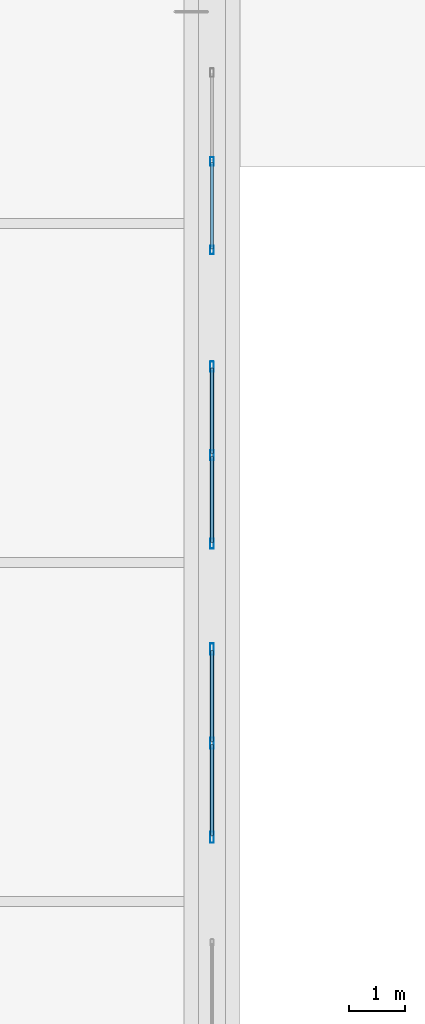
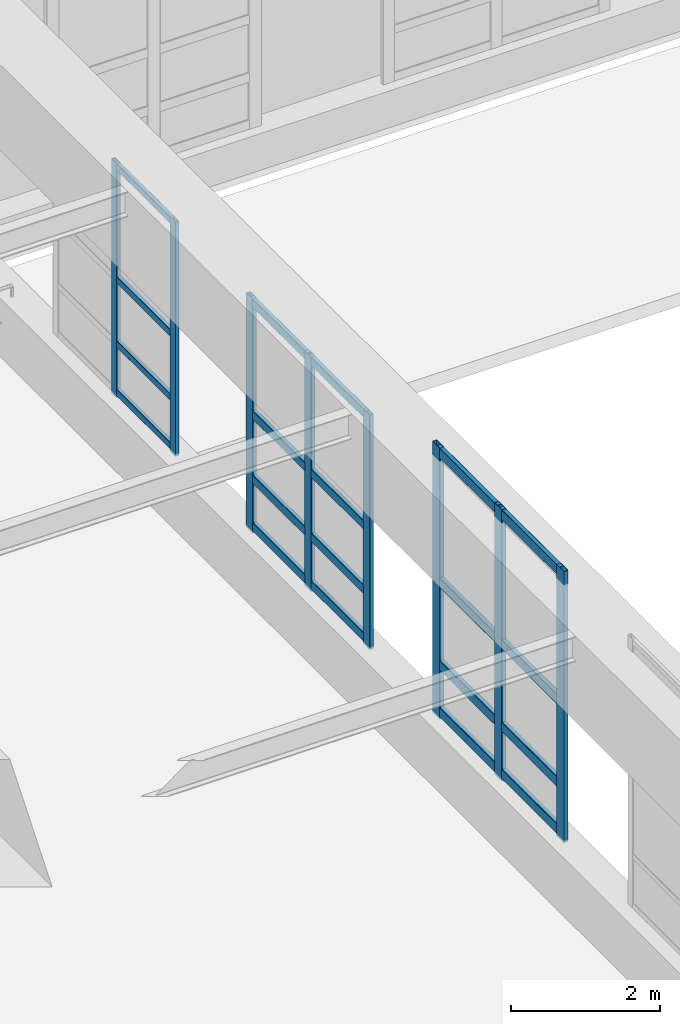
# One storey, part 42 of 197: 28 members, 3 elements without a shape of their own.
"""IFC4 building model written with IfcOpenShell, lengths in metres."""

from ifc_helpers import new_model, si_unit, derived_unit, direction, frame, origin, origin_2d, place, context, subcontext, project, spatial, hollow_rectangle, extrude, material, layer, layer_set, material_profile, profile_set, type_object, element, aggregate, save


model = new_model("IFC4")

# Units and contexts
model_context = context("Model", 3, precision=1e-05, world=origin(), true_north=direction((0.0, 1.0)))
body_context = subcontext(model_context, "Body", "Model", "MODEL_VIEW")
ifc_project = project(units=[si_unit("LENGTHUNIT", "METRE"), si_unit("AREAUNIT", "SQUARE_METRE"), si_unit("VOLUMEUNIT", "CUBIC_METRE"), si_unit("PLANEANGLEUNIT", "RADIAN"), si_unit("MASSUNIT", "GRAM", prefix="KILO"), derived_unit("THERMALTRANSMITTANCEUNIT", [(si_unit("POWERUNIT", "WATT"), 1), (si_unit("LENGTHUNIT", "METRE"), -2), (si_unit("THERMODYNAMICTEMPERATUREUNIT", "KELVIN"), -1)])], contexts=[model_context])

# Site, building, storey
site_placement = place(None, origin())
site = spatial("IfcSite", under=ifc_project, at=site_placement, CompositionType="ELEMENT")
building_placement = place(site_placement, origin())
building = spatial("IfcBuilding", under=site, at=building_placement, Name="Almenara Railside Exhibition Hall", CompositionType="ELEMENT")
storey_placement = place(building_placement, frame((0.0, 0.0, 5.39990234375)))
storey = spatial("IfcBuildingStorey", under=building, at=storey_placement, Name="L01", CompositionType="ELEMENT", Elevation=5.39990234375)

# Curtain wall, members
ifc_material_1 = material(Name="Bronze-anodised aluminium and low-E double glazing", Category="aluminium")
ifc_layer_1 = layer(ifc_material_1, 0.179931640625, Name="Bronze-anodised aluminium and low-E double glazing")
ifc_layer_set_1 = layer_set([ifc_layer_1], Name="Bronze-anodised aluminium and low-E double glazing")
curtain_wall_type_1 = type_object("IfcCurtainWallType", Name="Scroll Gable Side Curtain Wall 3200x3800", PredefinedType="NOTDEFINED", material=ifc_layer_set_1)
curtain_wall_1_placement = place(storey_placement, origin())
curtain_wall_1 = element("IfcCurtainWall", 1, at=curtain_wall_1_placement, inside=storey, type_object=curtain_wall_type_1, Name="Curtain wall CW-G4-118", PredefinedType="NOTDEFINED")
ifc_material_2 = material(Name="Bronze-anodised aluminium", Category="aluminium")
ifc_material_profile_1 = material_profile(ifc_material_2, hollow_rectangle(XDim=0.06005859375, YDim=0.14990234375, WallThickness=0.00341796875, InnerFilletRadius=0.00341796875, OuterFilletRadius=0.007080078125, at=origin_2d()), Name="ALU-MUL 60x150x3.5")
ifc_profile_set_1 = profile_set([ifc_material_profile_1], Name="Bronze-anodised aluminium")
member_type_1 = type_object("IfcMemberType", Name="Curtain Wall Mullion 60x150x3.5", PredefinedType="MULLION", material=ifc_profile_set_1)
member_1_placement = place(storey_placement, frame((66.0, 29.530029296875, 0.9150390625), z_axis=(0.0, 0.0, 1.0), x_axis=(-1.0, 0.0, 0.0)))
member_1 = element("IfcMember", 2, at=member_1_placement, type_object=member_type_1, Name="CW-G4-118 mullion 1", PredefinedType="MULLION", context=body_context, shape_type="SweptSolid", body=[
    extrude(hollow_rectangle(XDim=0.06005859375, YDim=0.14990234375, WallThickness=0.00341796875, InnerFilletRadius=0.00341796875, OuterFilletRadius=0.007080078125, at=origin_2d()), origin(), (0.0, 0.0, 1.0), 3.8349609375),
])
member_2_placement = place(storey_placement, frame((66.0, 31.10009765625, 0.9150390625), z_axis=(0.0, 0.0, 1.0), x_axis=(-1.0, 0.0, 0.0)))
member_2 = element("IfcMember", 3, at=member_2_placement, type_object=member_type_1, Name="CW-G4-118 mullion 2", PredefinedType="MULLION", context=body_context, shape_type="SweptSolid", body=[
    extrude(hollow_rectangle(XDim=0.06005859375, YDim=0.14990234375, WallThickness=0.00341796875, InnerFilletRadius=0.00341796875, OuterFilletRadius=0.007080078125, at=origin_2d()), origin(), (0.0, 0.0, 1.0), 3.8349609375),
])

curtain_wall_2_placement = place(storey_placement, origin())
curtain_wall_2 = element("IfcCurtainWall", 4, at=curtain_wall_2_placement, inside=storey, type_object=curtain_wall_type_1, Name="Curtain wall CW-G4-117", PredefinedType="NOTDEFINED")
ifc_material_profile_2 = material_profile(ifc_material_2, hollow_rectangle(XDim=0.06494140625, YDim=0.179931640625, WallThickness=0.00390625, InnerFilletRadius=0.00390625, OuterFilletRadius=0.008056640625, at=origin_2d()), Name="ALU-MUL 65x180x4")
ifc_profile_set_2 = profile_set([ifc_material_profile_2], Name="Bronze-anodised aluminium")
member_type_2 = type_object("IfcMemberType", Name="Curtain Wall Mullion 65x180x4", PredefinedType="MULLION", material=ifc_profile_set_2)
member_3_placement = place(storey_placement, frame((66.0, 24.33251953125, 0.9150390625), z_axis=(0.0, 0.0, 1.0), x_axis=(-1.0, 0.0, 0.0)))
member_3 = element("IfcMember", 5, at=member_3_placement, type_object=member_type_2, Name="CW-G4-117 mullion 1", PredefinedType="MULLION", context=body_context, shape_type="SweptSolid", body=[
    extrude(hollow_rectangle(XDim=0.06494140625, YDim=0.179931640625, WallThickness=0.00390625, InnerFilletRadius=0.00390625, OuterFilletRadius=0.008056640625, at=origin_2d()), origin(), (0.0, 0.0, 1.0), 3.8349609375),
])
member_4_placement = place(storey_placement, frame((66.0, 25.89990234375, 0.9150390625), z_axis=(0.0, 0.0, 1.0), x_axis=(-1.0, 0.0, 0.0)))
member_4 = element("IfcMember", 6, at=member_4_placement, type_object=member_type_2, Name="CW-G4-117 mullion 2", PredefinedType="MULLION", context=body_context, shape_type="SweptSolid", body=[
    extrude(hollow_rectangle(XDim=0.06494140625, YDim=0.179931640625, WallThickness=0.00390625, InnerFilletRadius=0.00390625, OuterFilletRadius=0.008056640625, at=origin_2d()), origin(), (0.0, 0.0, 1.0), 3.8349609375),
])
member_5_placement = place(storey_placement, frame((66.0, 27.467529296875, 0.9150390625), z_axis=(0.0, 0.0, 1.0), x_axis=(-1.0, 0.0, 0.0)))
member_5 = element("IfcMember", 7, at=member_5_placement, type_object=member_type_2, Name="CW-G4-117 mullion 3", PredefinedType="MULLION", context=body_context, shape_type="SweptSolid", body=[
    extrude(hollow_rectangle(XDim=0.06494140625, YDim=0.179931640625, WallThickness=0.00390625, InnerFilletRadius=0.00390625, OuterFilletRadius=0.008056640625, at=origin_2d()), origin(), (0.0, 0.0, 1.0), 3.8349609375),
])

ifc_layer_2 = layer(ifc_material_1, 0.179931640625, Name="Bronze-anodised aluminium and low-E double glazing")
ifc_layer_set_2 = layer_set([ifc_layer_2], Name="Bronze-anodised aluminium and low-E double glazing")
curtain_wall_type_2 = type_object("IfcCurtainWallType", Name="Scroll Gable Mid Curtain Wall 3400x4400", PredefinedType="NOTDEFINED", material=ifc_layer_set_2)
curtain_wall_3_placement = place(storey_placement, origin())
curtain_wall_3 = element("IfcCurtainWall", 8, at=curtain_wall_3_placement, inside=storey, type_object=curtain_wall_type_2, Name="Curtain wall CW-G3-116", PredefinedType="NOTDEFINED")
ifc_material_profile_3 = material_profile(ifc_material_2, hollow_rectangle(XDim=0.070068359375, YDim=0.199951171875, WallThickness=0.00439453125, InnerFilletRadius=0.00439453125, OuterFilletRadius=0.009033203125, at=origin_2d()), Name="ALU-MUL 70x200x4.5")
ifc_profile_set_3 = profile_set([ifc_material_profile_3], Name="Bronze-anodised aluminium")
member_type_3 = type_object("IfcMemberType", Name="Curtain Wall Mullion 70x200x4.5", PredefinedType="MULLION", material=ifc_profile_set_3)
member_6_placement = place(storey_placement, frame((66.0, 19.135009765625, 0.9150390625), z_axis=(0.0, 0.0, 1.0), x_axis=(-1.0, 0.0, 0.0)))
member_6 = element("IfcMember", 9, at=member_6_placement, type_object=member_type_3, Name="CW-G3-116 mullion 1", PredefinedType="MULLION", context=body_context, shape_type="SweptSolid", body=[
    extrude(hollow_rectangle(XDim=0.070068359375, YDim=0.199951171875, WallThickness=0.00439453125, InnerFilletRadius=0.00439453125, OuterFilletRadius=0.009033203125, at=origin_2d()), origin(), (0.0, 0.0, 1.0), 4.43505859375),
])
member_7_placement = place(storey_placement, frame((66.0, 20.800048828125, 0.9150390625), z_axis=(0.0, 0.0, 1.0), x_axis=(-1.0, 0.0, 0.0)))
member_7 = element("IfcMember", 10, at=member_7_placement, type_object=member_type_3, Name="CW-G3-116 mullion 2", PredefinedType="MULLION", context=body_context, shape_type="SweptSolid", body=[
    extrude(hollow_rectangle(XDim=0.070068359375, YDim=0.199951171875, WallThickness=0.00439453125, InnerFilletRadius=0.00439453125, OuterFilletRadius=0.009033203125, at=origin_2d()), origin(), (0.0, 0.0, 1.0), 4.43505859375),
])
member_8_placement = place(storey_placement, frame((66.0, 22.465087890625, 0.9150390625), z_axis=(0.0, 0.0, 1.0), x_axis=(-1.0, 0.0, 0.0)))
member_8 = element("IfcMember", 11, at=member_8_placement, type_object=member_type_3, Name="CW-G3-116 mullion 3", PredefinedType="MULLION", context=body_context, shape_type="SweptSolid", body=[
    extrude(hollow_rectangle(XDim=0.070068359375, YDim=0.199951171875, WallThickness=0.00439453125, InnerFilletRadius=0.00439453125, OuterFilletRadius=0.009033203125, at=origin_2d()), origin(), (0.0, 0.0, 1.0), 4.43505859375),
])

# Member
ifc_material_profile_4 = material_profile(ifc_material_2, hollow_rectangle(XDim=0.06005859375, YDim=0.110107421875, WallThickness=0.0029296875, InnerFilletRadius=0.0029296875, OuterFilletRadius=0.006103515625, at=origin_2d()), Name="ALU-TRN 60x110x3")
ifc_profile_set_4 = profile_set([ifc_material_profile_4], Name="Bronze-anodised aluminium")
member_type_4 = type_object("IfcMemberType", Name="Curtain Wall Transom 60x110x3", PredefinedType="USERDEFINED", material=ifc_profile_set_4)
member_9_placement = place(storey_placement, frame((66.0, 29.552001953125, 1.005126953125), z_axis=(0.0, 1.0, 0.0), x_axis=(-1.0, 0.0, 0.0)))
member_9 = element("IfcMember", 12, at=member_9_placement, type_object=member_type_4, Name="CW-G4-118 transom 1.1", ObjectType="TRANSOM", PredefinedType="USERDEFINED", context=body_context, shape_type="SweptSolid", body=[
    extrude(hollow_rectangle(XDim=0.06005859375, YDim=0.110107421875, WallThickness=0.0029296875, InnerFilletRadius=0.0029296875, OuterFilletRadius=0.006103515625, at=origin_2d()), origin(), (0.0, 0.0, 1.0), 1.52587890625),
])

member_10_placement = place(storey_placement, frame((66.0, 29.552001953125, 1.800048828125), z_axis=(0.0, 1.0, 0.0), x_axis=(-1.0, 0.0, 0.0)))
member_10 = element("IfcMember", 13, at=member_10_placement, type_object=member_type_4, Name="CW-G4-118 transom 1.2", ObjectType="TRANSOM", PredefinedType="USERDEFINED", context=body_context, shape_type="SweptSolid", body=[
    extrude(hollow_rectangle(XDim=0.06005859375, YDim=0.110107421875, WallThickness=0.0029296875, InnerFilletRadius=0.0029296875, OuterFilletRadius=0.006103515625, at=origin_2d()), origin(), (0.0, 0.0, 1.0), 1.52587890625),
])

member_11_placement = place(storey_placement, frame((66.0, 29.552001953125, 2.85009765625), z_axis=(0.0, 1.0, 0.0), x_axis=(-1.0, 0.0, 0.0)))
member_11 = element("IfcMember", 14, at=member_11_placement, type_object=member_type_4, Name="CW-G4-118 transom 1.3", ObjectType="TRANSOM", PredefinedType="USERDEFINED", context=body_context, shape_type="SweptSolid", body=[
    extrude(hollow_rectangle(XDim=0.06005859375, YDim=0.110107421875, WallThickness=0.0029296875, InnerFilletRadius=0.0029296875, OuterFilletRadius=0.006103515625, at=origin_2d()), origin(), (0.0, 0.0, 1.0), 1.52587890625),
])

member_12_placement = place(storey_placement, frame((66.0, 29.552001953125, 4.695068359375), z_axis=(0.0, 1.0, 0.0), x_axis=(-1.0, 0.0, 0.0)))
member_12 = element("IfcMember", 15, at=member_12_placement, type_object=member_type_4, Name="CW-G4-118 transom 1.4", ObjectType="TRANSOM", PredefinedType="USERDEFINED", context=body_context, shape_type="SweptSolid", body=[
    extrude(hollow_rectangle(XDim=0.06005859375, YDim=0.110107421875, WallThickness=0.0029296875, InnerFilletRadius=0.0029296875, OuterFilletRadius=0.006103515625, at=origin_2d()), origin(), (0.0, 0.0, 1.0), 1.52587890625),
])

aggregate(curtain_wall_1, [member_1, member_2, member_9, member_10, member_11, member_12])

ifc_material_profile_5 = material_profile(ifc_material_2, hollow_rectangle(XDim=0.06494140625, YDim=0.139892578125, WallThickness=0.00341796875, InnerFilletRadius=0.00341796875, OuterFilletRadius=0.007080078125, at=origin_2d()), Name="ALU-TRN 65x140x3.5")
ifc_profile_set_5 = profile_set([ifc_material_profile_5], Name="Bronze-anodised aluminium")
member_type_5 = type_object("IfcMemberType", Name="Curtain Wall Transom 65x140x3.5", PredefinedType="USERDEFINED", material=ifc_profile_set_5)
member_13_placement = place(storey_placement, frame((66.0, 24.35693359375, 1.02001953125), z_axis=(0.0, 1.0, 0.0), x_axis=(-1.0, 0.0, 0.0)))
member_13 = element("IfcMember", 16, at=member_13_placement, type_object=member_type_5, Name="CW-G4-117 transom 1.1", ObjectType="TRANSOM", PredefinedType="USERDEFINED", context=body_context, shape_type="SweptSolid", body=[
    extrude(hollow_rectangle(XDim=0.06494140625, YDim=0.139892578125, WallThickness=0.00341796875, InnerFilletRadius=0.00341796875, OuterFilletRadius=0.007080078125, at=origin_2d()), origin(), (0.0, 0.0, 1.0), 1.5185546875),
])

member_14_placement = place(storey_placement, frame((66.0, 24.35693359375, 1.800048828125), z_axis=(0.0, 1.0, 0.0), x_axis=(-1.0, 0.0, 0.0)))
member_14 = element("IfcMember", 17, at=member_14_placement, type_object=member_type_5, Name="CW-G4-117 transom 1.2", ObjectType="TRANSOM", PredefinedType="USERDEFINED", context=body_context, shape_type="SweptSolid", body=[
    extrude(hollow_rectangle(XDim=0.06494140625, YDim=0.139892578125, WallThickness=0.00341796875, InnerFilletRadius=0.00341796875, OuterFilletRadius=0.007080078125, at=origin_2d()), origin(), (0.0, 0.0, 1.0), 1.5185546875),
])

member_15_placement = place(storey_placement, frame((66.0, 24.35693359375, 2.85009765625), z_axis=(0.0, 1.0, 0.0), x_axis=(-1.0, 0.0, 0.0)))
member_15 = element("IfcMember", 18, at=member_15_placement, type_object=member_type_5, Name="CW-G4-117 transom 1.3", ObjectType="TRANSOM", PredefinedType="USERDEFINED", context=body_context, shape_type="SweptSolid", body=[
    extrude(hollow_rectangle(XDim=0.06494140625, YDim=0.139892578125, WallThickness=0.00341796875, InnerFilletRadius=0.00341796875, OuterFilletRadius=0.007080078125, at=origin_2d()), origin(), (0.0, 0.0, 1.0), 1.5185546875),
])

member_16_placement = place(storey_placement, frame((66.0, 24.35693359375, 4.68017578125), z_axis=(0.0, 1.0, 0.0), x_axis=(-1.0, 0.0, 0.0)))
member_16 = element("IfcMember", 19, at=member_16_placement, type_object=member_type_5, Name="CW-G4-117 transom 1.4", ObjectType="TRANSOM", PredefinedType="USERDEFINED", context=body_context, shape_type="SweptSolid", body=[
    extrude(hollow_rectangle(XDim=0.06494140625, YDim=0.139892578125, WallThickness=0.00341796875, InnerFilletRadius=0.00341796875, OuterFilletRadius=0.007080078125, at=origin_2d()), origin(), (0.0, 0.0, 1.0), 1.5185546875),
])

member_17_placement = place(storey_placement, frame((66.0, 25.924560546875, 1.02001953125), z_axis=(0.0, 1.0, 0.0), x_axis=(-1.0, 0.0, 0.0)))
member_17 = element("IfcMember", 20, at=member_17_placement, type_object=member_type_5, Name="CW-G4-117 transom 2.1", ObjectType="TRANSOM", PredefinedType="USERDEFINED", context=body_context, shape_type="SweptSolid", body=[
    extrude(hollow_rectangle(XDim=0.06494140625, YDim=0.139892578125, WallThickness=0.00341796875, InnerFilletRadius=0.00341796875, OuterFilletRadius=0.007080078125, at=origin_2d()), origin(), (0.0, 0.0, 1.0), 1.5185546875),
])

member_18_placement = place(storey_placement, frame((66.0, 25.924560546875, 1.800048828125), z_axis=(0.0, 1.0, 0.0), x_axis=(-1.0, 0.0, 0.0)))
member_18 = element("IfcMember", 21, at=member_18_placement, type_object=member_type_5, Name="CW-G4-117 transom 2.2", ObjectType="TRANSOM", PredefinedType="USERDEFINED", context=body_context, shape_type="SweptSolid", body=[
    extrude(hollow_rectangle(XDim=0.06494140625, YDim=0.139892578125, WallThickness=0.00341796875, InnerFilletRadius=0.00341796875, OuterFilletRadius=0.007080078125, at=origin_2d()), origin(), (0.0, 0.0, 1.0), 1.5185546875),
])

member_19_placement = place(storey_placement, frame((66.0, 25.924560546875, 2.85009765625), z_axis=(0.0, 1.0, 0.0), x_axis=(-1.0, 0.0, 0.0)))
member_19 = element("IfcMember", 22, at=member_19_placement, type_object=member_type_5, Name="CW-G4-117 transom 2.3", ObjectType="TRANSOM", PredefinedType="USERDEFINED", context=body_context, shape_type="SweptSolid", body=[
    extrude(hollow_rectangle(XDim=0.06494140625, YDim=0.139892578125, WallThickness=0.00341796875, InnerFilletRadius=0.00341796875, OuterFilletRadius=0.007080078125, at=origin_2d()), origin(), (0.0, 0.0, 1.0), 1.5185546875),
])

member_20_placement = place(storey_placement, frame((66.0, 25.924560546875, 4.68017578125), z_axis=(0.0, 1.0, 0.0), x_axis=(-1.0, 0.0, 0.0)))
member_20 = element("IfcMember", 23, at=member_20_placement, type_object=member_type_5, Name="CW-G4-117 transom 2.4", ObjectType="TRANSOM", PredefinedType="USERDEFINED", context=body_context, shape_type="SweptSolid", body=[
    extrude(hollow_rectangle(XDim=0.06494140625, YDim=0.139892578125, WallThickness=0.00341796875, InnerFilletRadius=0.00341796875, OuterFilletRadius=0.007080078125, at=origin_2d()), origin(), (0.0, 0.0, 1.0), 1.5185546875),
])

aggregate(curtain_wall_2, [member_3, member_4, member_5, member_13, member_14, member_15, member_16, member_17, member_18, member_19, member_20])

ifc_material_profile_6 = material_profile(ifc_material_2, hollow_rectangle(XDim=0.070068359375, YDim=0.159912109375, WallThickness=0.00390625, InnerFilletRadius=0.00390625, OuterFilletRadius=0.008056640625, at=origin_2d()), Name="ALU-TRN 70x160x4")
ifc_profile_set_6 = profile_set([ifc_material_profile_6], Name="Bronze-anodised aluminium")
member_type_6 = type_object("IfcMemberType", Name="Curtain Wall Transom 70x160x4", PredefinedType="USERDEFINED", material=ifc_profile_set_6)
member_21_placement = place(storey_placement, frame((66.0, 19.162109375, 1.030029296875), z_axis=(0.0, 1.0, 0.0), x_axis=(-1.0, 0.0, 0.0)))
member_21 = element("IfcMember", 24, at=member_21_placement, type_object=member_type_6, Name="CW-G3-116 transom 1.1", ObjectType="TRANSOM", PredefinedType="USERDEFINED", context=body_context, shape_type="SweptSolid", body=[
    extrude(hollow_rectangle(XDim=0.070068359375, YDim=0.159912109375, WallThickness=0.00390625, InnerFilletRadius=0.00390625, OuterFilletRadius=0.008056640625, at=origin_2d()), origin(), (0.0, 0.0, 1.0), 1.61083984375),
])

member_22_placement = place(storey_placement, frame((66.0, 19.162109375, 1.800048828125), z_axis=(0.0, 1.0, 0.0), x_axis=(-1.0, 0.0, 0.0)))
member_22 = element("IfcMember", 25, at=member_22_placement, type_object=member_type_6, Name="CW-G3-116 transom 1.2", ObjectType="TRANSOM", PredefinedType="USERDEFINED", context=body_context, shape_type="SweptSolid", body=[
    extrude(hollow_rectangle(XDim=0.070068359375, YDim=0.159912109375, WallThickness=0.00390625, InnerFilletRadius=0.00390625, OuterFilletRadius=0.008056640625, at=origin_2d()), origin(), (0.0, 0.0, 1.0), 1.61083984375),
])

member_23_placement = place(storey_placement, frame((66.0, 19.162109375, 3.150146484375), z_axis=(0.0, 1.0, 0.0), x_axis=(-1.0, 0.0, 0.0)))
member_23 = element("IfcMember", 26, at=member_23_placement, type_object=member_type_6, Name="CW-G3-116 transom 1.3", ObjectType="TRANSOM", PredefinedType="USERDEFINED", context=body_context, shape_type="SweptSolid", body=[
    extrude(hollow_rectangle(XDim=0.070068359375, YDim=0.159912109375, WallThickness=0.00390625, InnerFilletRadius=0.00390625, OuterFilletRadius=0.008056640625, at=origin_2d()), origin(), (0.0, 0.0, 1.0), 1.61083984375),
])

member_24_placement = place(storey_placement, frame((66.0, 19.162109375, 5.27001953125), z_axis=(0.0, 1.0, 0.0), x_axis=(-1.0, 0.0, 0.0)))
member_24 = element("IfcMember", 27, at=member_24_placement, type_object=member_type_6, Name="CW-G3-116 transom 1.4", ObjectType="TRANSOM", PredefinedType="USERDEFINED", context=body_context, shape_type="SweptSolid", body=[
    extrude(hollow_rectangle(XDim=0.070068359375, YDim=0.159912109375, WallThickness=0.00390625, InnerFilletRadius=0.00390625, OuterFilletRadius=0.008056640625, at=origin_2d()), origin(), (0.0, 0.0, 1.0), 1.61083984375),
])

member_25_placement = place(storey_placement, frame((66.0, 20.826904296875, 1.030029296875), z_axis=(0.0, 1.0, 0.0), x_axis=(-1.0, 0.0, 0.0)))
member_25 = element("IfcMember", 28, at=member_25_placement, type_object=member_type_6, Name="CW-G3-116 transom 2.1", ObjectType="TRANSOM", PredefinedType="USERDEFINED", context=body_context, shape_type="SweptSolid", body=[
    extrude(hollow_rectangle(XDim=0.070068359375, YDim=0.159912109375, WallThickness=0.00390625, InnerFilletRadius=0.00390625, OuterFilletRadius=0.008056640625, at=origin_2d()), origin(), (0.0, 0.0, 1.0), 1.611083984375),
])

member_26_placement = place(storey_placement, frame((66.0, 20.826904296875, 1.800048828125), z_axis=(0.0, 1.0, 0.0), x_axis=(-1.0, 0.0, 0.0)))
member_26 = element("IfcMember", 29, at=member_26_placement, type_object=member_type_6, Name="CW-G3-116 transom 2.2", ObjectType="TRANSOM", PredefinedType="USERDEFINED", context=body_context, shape_type="SweptSolid", body=[
    extrude(hollow_rectangle(XDim=0.070068359375, YDim=0.159912109375, WallThickness=0.00390625, InnerFilletRadius=0.00390625, OuterFilletRadius=0.008056640625, at=origin_2d()), origin(), (0.0, 0.0, 1.0), 1.611083984375),
])

member_27_placement = place(storey_placement, frame((66.0, 20.826904296875, 3.150146484375), z_axis=(0.0, 1.0, 0.0), x_axis=(-1.0, 0.0, 0.0)))
member_27 = element("IfcMember", 30, at=member_27_placement, type_object=member_type_6, Name="CW-G3-116 transom 2.3", ObjectType="TRANSOM", PredefinedType="USERDEFINED", context=body_context, shape_type="SweptSolid", body=[
    extrude(hollow_rectangle(XDim=0.070068359375, YDim=0.159912109375, WallThickness=0.00390625, InnerFilletRadius=0.00390625, OuterFilletRadius=0.008056640625, at=origin_2d()), origin(), (0.0, 0.0, 1.0), 1.611083984375),
])

member_28_placement = place(storey_placement, frame((66.0, 20.826904296875, 5.27001953125), z_axis=(0.0, 1.0, 0.0), x_axis=(-1.0, 0.0, 0.0)))
member_28 = element("IfcMember", 31, at=member_28_placement, type_object=member_type_6, Name="CW-G3-116 transom 2.4", ObjectType="TRANSOM", PredefinedType="USERDEFINED", context=body_context, shape_type="SweptSolid", body=[
    extrude(hollow_rectangle(XDim=0.070068359375, YDim=0.159912109375, WallThickness=0.00390625, InnerFilletRadius=0.00390625, OuterFilletRadius=0.008056640625, at=origin_2d()), origin(), (0.0, 0.0, 1.0), 1.611083984375),
])

aggregate(curtain_wall_3, [member_6, member_7, member_8, member_21, member_22, member_23, member_24, member_25, member_26, member_27, member_28])

save(model, "model.ifc")
